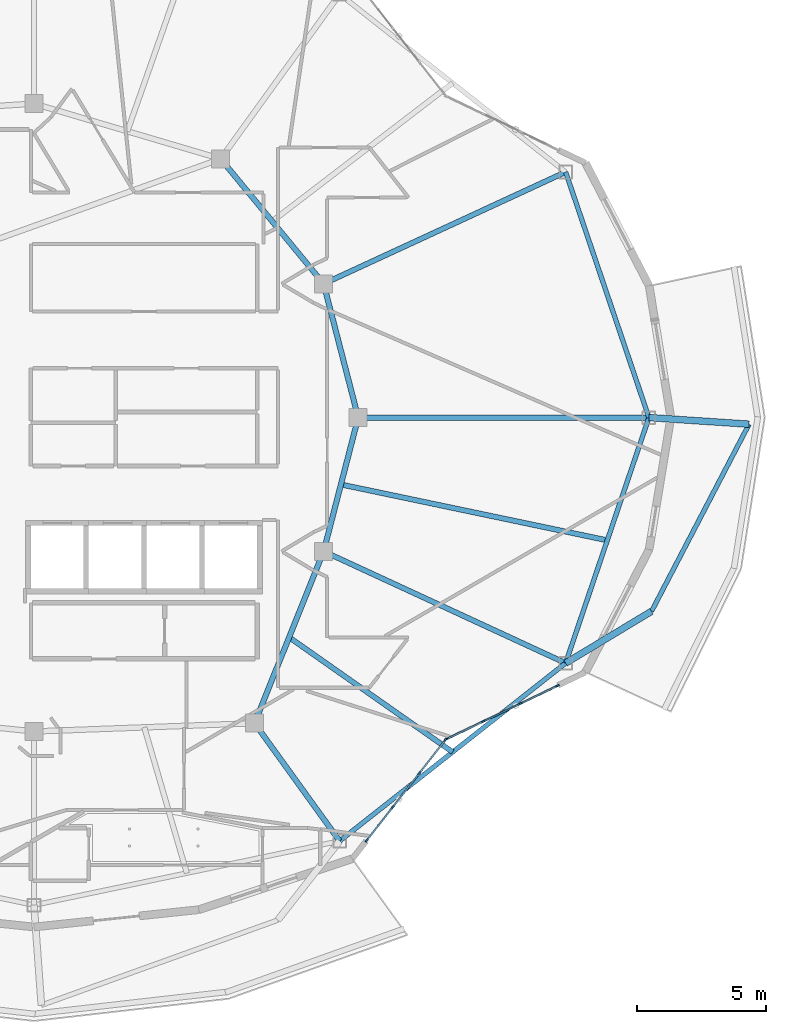
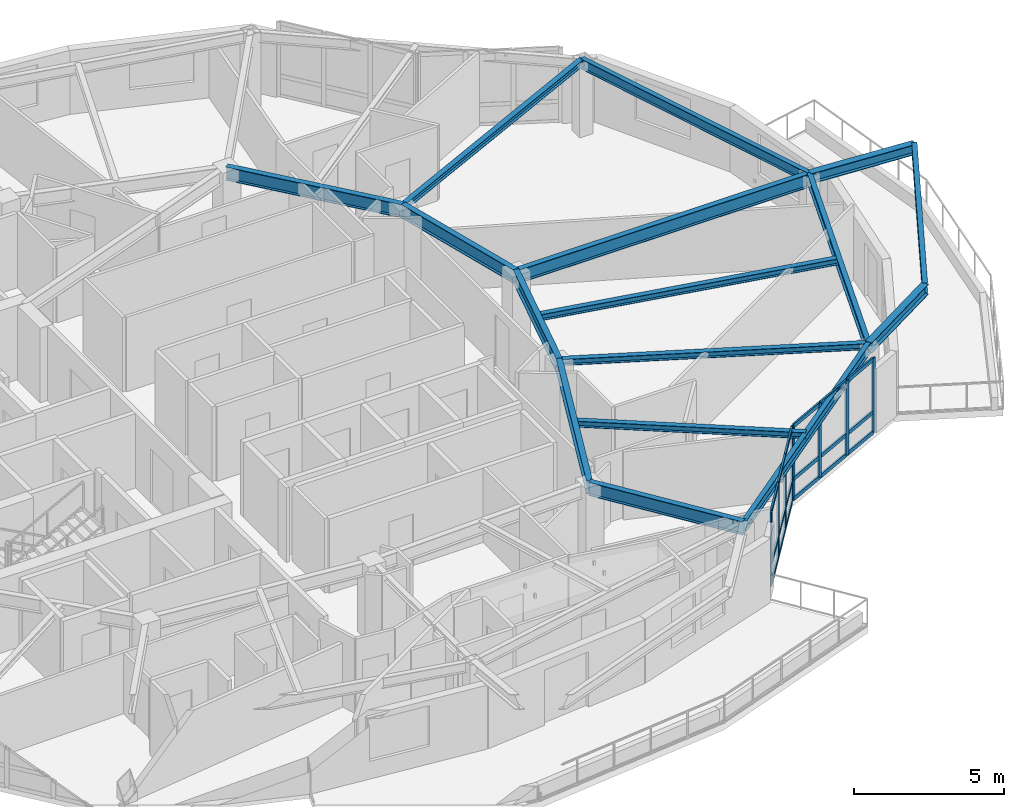
# One storey, part 4 of 21: 26 members, 16 beams, 2 elements without a shape of their own.
"""IFC4 building model written with IfcOpenShell, lengths in metres."""

from ifc_helpers import new_model, si_unit, direction, frame, origin, origin_2d, place, context, subcontext, project, spatial, rectangle, i_section, extrude, material, layer, layer_set, material_profile, profile_set, type_object, element, aggregate, save


model = new_model("IFC4")

# Units and contexts
model_context = context("Model", 3, precision=1e-05, world=origin(), true_north=direction((0.0, 1.0)))
body_context = subcontext(model_context, "Body", "Model", "MODEL_VIEW")
ifc_project = project(units=[si_unit("LENGTHUNIT", "METRE"), si_unit("AREAUNIT", "SQUARE_METRE"), si_unit("VOLUMEUNIT", "CUBIC_METRE"), si_unit("PLANEANGLEUNIT", "RADIAN"), si_unit("MASSUNIT", "GRAM", prefix="KILO")], contexts=[model_context])

# Site, building, storey
site_placement = place(None, origin())
site = spatial("IfcSite", under=ifc_project, at=site_placement, CompositionType="ELEMENT")
building_placement = place(site_placement, origin())
building = spatial("IfcBuilding", under=site, at=building_placement, Name="Kolvaren Gate Tower and Convention Centre", CompositionType="ELEMENT")
storey_placement = place(building_placement, frame((0.0, 0.0, 226.10009765625)))
storey = spatial("IfcBuildingStorey", under=building, at=storey_placement, Name="L60", CompositionType="ELEMENT", Elevation=226.10009765625)

# Curtain wall, members
ifc_material_1 = material(Name="Anodized Architectural Aluminium Alloy 6063-T6", Category="aluminium")
ifc_layer = layer(ifc_material_1, 0.159912109375)
ifc_layer_set = layer_set([ifc_layer], Name="Anodized Architectural Aluminium Alloy 6063-T6")
curtain_wall_type = type_object("IfcCurtainWallType", Name="CW-RES-UNIT", PredefinedType="NOTDEFINED", material=ifc_layer_set)
curtain_wall_1_placement = place(storey_placement, origin())
curtain_wall_1 = element("IfcCurtainWall", 1, at=curtain_wall_1_placement, inside=storey, type_object=curtain_wall_type, Name="Tower L60 Unitised Curtain Wall CW-RES-UNIT Bay 20", PredefinedType="NOTDEFINED")
ifc_material_profile_1 = material_profile(ifc_material_1, rectangle(XDim=0.06494140625, YDim=0.159912109375, at=origin_2d()), Name="CW-MEM-MUL-160")
ifc_profile_set_1 = profile_set([ifc_material_profile_1], Name="Anodized Architectural Aluminium Alloy 6063-T6")
member_type_1 = type_object("IfcMemberType", Name="CW-MEM-MUL-160", PredefinedType="MULLION", material=ifc_profile_set_1)
member_1_placement = place(storey_placement, frame((43.06005859375, 10.568115234375, 0.0), z_axis=(0.0, 0.0, 1.0), x_axis=(-0.787404459493, 0.616436709784, 0.0)))
member_1 = element("IfcMember", 2, at=member_1_placement, type_object=member_type_1, Name="CW-04 mullion 1", PredefinedType="MULLION", context=body_context, shape_type="SweptSolid", body=[
    extrude(rectangle(XDim=0.06494140625, YDim=0.159912109375, at=origin_2d()), origin(), (0.0, 0.0, 1.0), 3.02978515625),
])
member_2_placement = place(storey_placement, frame((44.07080078125, 11.859130859375, 0.0), z_axis=(0.0, 0.0, 1.0), x_axis=(-0.787404459493, 0.616436709784, 0.0)))
member_2 = element("IfcMember", 3, at=member_2_placement, type_object=member_type_1, Name="CW-04 mullion 2", PredefinedType="MULLION", context=body_context, shape_type="SweptSolid", body=[
    extrude(rectangle(XDim=0.06494140625, YDim=0.159912109375, at=origin_2d()), origin(), (0.0, 0.0, 1.0), 3.02978515625),
])
member_3_placement = place(storey_placement, frame((45.1015625, 13.176025390625, 0.0), z_axis=(0.0, 0.0, 1.0), x_axis=(-0.787404459493, 0.616436709784, 0.0)))
member_3 = element("IfcMember", 4, at=member_3_placement, type_object=member_type_1, Name="CW-04 mullion 3", PredefinedType="MULLION", context=body_context, shape_type="SweptSolid", body=[
    extrude(rectangle(XDim=0.06494140625, YDim=0.159912109375, at=origin_2d()), origin(), (0.0, 0.0, 1.0), 3.02978515625),
])
member_4_placement = place(storey_placement, frame((46.112548828125, 14.467041015625, 0.0), z_axis=(0.0, 0.0, 1.0), x_axis=(-0.787404459493, 0.616436709784, 0.0)))
member_4 = element("IfcMember", 5, at=member_4_placement, type_object=member_type_1, Name="CW-04 mullion 4", PredefinedType="MULLION", context=body_context, shape_type="SweptSolid", body=[
    extrude(rectangle(XDim=0.06494140625, YDim=0.159912109375, at=origin_2d()), origin(), (0.0, 0.0, 1.0), 3.02978515625),
])

curtain_wall_2_placement = place(storey_placement, origin())
curtain_wall_2 = element("IfcCurtainWall", 6, at=curtain_wall_2_placement, inside=storey, type_object=curtain_wall_type, Name="Tower L60 Unitised Curtain Wall CW-RES-UNIT Bay 21", PredefinedType="NOTDEFINED")
member_5_placement = place(storey_placement, frame((46.161865234375, 14.5068359375, 0.0), z_axis=(0.0, 0.0, 1.0), x_axis=(-0.433064264345, 0.90136304725, 0.0)))
member_5 = element("IfcMember", 7, at=member_5_placement, type_object=member_type_1, Name="CW-04 mullion 1", PredefinedType="MULLION", context=body_context, shape_type="SweptSolid", body=[
    extrude(rectangle(XDim=0.06494140625, YDim=0.159912109375, at=origin_2d()), origin(), (0.0, 0.0, 1.0), 3.02978515625),
])
member_6_placement = place(storey_placement, frame((47.58642578125, 15.191162109375, 0.0), z_axis=(0.0, 0.0, 1.0), x_axis=(-0.433064264345, 0.90136304725, 0.0)))
member_6 = element("IfcMember", 8, at=member_6_placement, type_object=member_type_1, Name="CW-04 mullion 2", PredefinedType="MULLION", context=body_context, shape_type="SweptSolid", body=[
    extrude(rectangle(XDim=0.06494140625, YDim=0.159912109375, at=origin_2d()), origin(), (0.0, 0.0, 1.0), 3.02978515625),
])
member_7_placement = place(storey_placement, frame((49.040283203125, 15.8896484375, 0.0), z_axis=(0.0, 0.0, 1.0), x_axis=(-0.433064264345, 0.90136304725, 0.0)))
member_7 = element("IfcMember", 9, at=member_7_placement, type_object=member_type_1, Name="CW-04 mullion 3", PredefinedType="MULLION", context=body_context, shape_type="SweptSolid", body=[
    extrude(rectangle(XDim=0.06494140625, YDim=0.159912109375, at=origin_2d()), origin(), (0.0, 0.0, 1.0), 3.02978515625),
])
member_8_placement = place(storey_placement, frame((50.46484375, 16.57421875, 0.0), z_axis=(0.0, 0.0, 1.0), x_axis=(-0.433064264345, 0.90136304725, 0.0)))
member_8 = element("IfcMember", 10, at=member_8_placement, type_object=member_type_1, Name="CW-04 mullion 4", PredefinedType="MULLION", context=body_context, shape_type="SweptSolid", body=[
    extrude(rectangle(XDim=0.06494140625, YDim=0.159912109375, at=origin_2d()), origin(), (0.0, 0.0, 1.0), 3.02978515625),
])

# Member
ifc_material_profile_2 = material_profile(ifc_material_1, rectangle(XDim=0.06494140625, YDim=0.159912109375, at=origin_2d()), Name="CW-MEM-TRN-160")
ifc_profile_set_2 = profile_set([ifc_material_profile_2], Name="Anodized Architectural Aluminium Alloy 6063-T6")
member_type_2 = type_object("IfcMemberType", Name="CW-MEM-TRN-160", PredefinedType="USERDEFINED", material=ifc_profile_set_2)
member_9_placement = place(storey_placement, frame((43.080078125, 10.59375, 0.032470703125), z_axis=(0.616416943475, 0.787419933579, 0.0), x_axis=(-0.787419933579, 0.616416943475, 0.0)))
member_9 = element("IfcMember", 11, at=member_9_placement, type_object=member_type_2, Name="CW-04 transom 1.1", ObjectType="TRANSOM", PredefinedType="USERDEFINED", context=body_context, shape_type="SweptSolid", body=[
    extrude(rectangle(XDim=0.06494140625, YDim=0.159912109375, at=origin_2d()), origin(), (0.0, 0.0, 1.0), 1.57470703125),
])

member_10_placement = place(storey_placement, frame((43.080078125, 10.59375, 0.849853515625), z_axis=(0.616416943475, 0.787419933579, 0.0), x_axis=(-0.787419933579, 0.616416943475, 0.0)))
member_10 = element("IfcMember", 12, at=member_10_placement, type_object=member_type_2, Name="CW-04 transom 1.2", ObjectType="TRANSOM", PredefinedType="USERDEFINED", context=body_context, shape_type="SweptSolid", body=[
    extrude(rectangle(XDim=0.06494140625, YDim=0.159912109375, at=origin_2d()), origin(), (0.0, 0.0, 1.0), 1.57470703125),
])

member_11_placement = place(storey_placement, frame((43.080078125, 10.59375, 2.997314453125), z_axis=(0.616416943475, 0.787419933579, 0.0), x_axis=(-0.787419933579, 0.616416943475, 0.0)))
member_11 = element("IfcMember", 13, at=member_11_placement, type_object=member_type_2, Name="CW-04 transom 1.3", ObjectType="TRANSOM", PredefinedType="USERDEFINED", context=body_context, shape_type="SweptSolid", body=[
    extrude(rectangle(XDim=0.06494140625, YDim=0.159912109375, at=origin_2d()), origin(), (0.0, 0.0, 1.0), 1.57470703125),
])

member_12_placement = place(storey_placement, frame((44.0908203125, 11.884765625, 0.032470703125), z_axis=(0.616398363045, 0.787434478567, 0.0), x_axis=(-0.787434478567, 0.616398363045, 0.0)))
member_12 = element("IfcMember", 14, at=member_12_placement, type_object=member_type_2, Name="CW-04 transom 2.1", ObjectType="TRANSOM", PredefinedType="USERDEFINED", context=body_context, shape_type="SweptSolid", body=[
    extrude(rectangle(XDim=0.06494140625, YDim=0.159912109375, at=origin_2d()), origin(), (0.0, 0.0, 1.0), 1.607177734375),
])

member_13_placement = place(storey_placement, frame((44.0908203125, 11.884765625, 0.849853515625), z_axis=(0.616398363045, 0.787434478567, 0.0), x_axis=(-0.787434478567, 0.616398363045, 0.0)))
member_13 = element("IfcMember", 15, at=member_13_placement, type_object=member_type_2, Name="CW-04 transom 2.2", ObjectType="TRANSOM", PredefinedType="USERDEFINED", context=body_context, shape_type="SweptSolid", body=[
    extrude(rectangle(XDim=0.06494140625, YDim=0.159912109375, at=origin_2d()), origin(), (0.0, 0.0, 1.0), 1.607177734375),
])

member_14_placement = place(storey_placement, frame((44.0908203125, 11.884765625, 2.997314453125), z_axis=(0.616398363045, 0.787434478567, 0.0), x_axis=(-0.787434478567, 0.616398363045, 0.0)))
member_14 = element("IfcMember", 16, at=member_14_placement, type_object=member_type_2, Name="CW-04 transom 2.3", ObjectType="TRANSOM", PredefinedType="USERDEFINED", context=body_context, shape_type="SweptSolid", body=[
    extrude(rectangle(XDim=0.06494140625, YDim=0.159912109375, at=origin_2d()), origin(), (0.0, 0.0, 1.0), 1.607177734375),
])

member_15_placement = place(storey_placement, frame((45.12158203125, 13.20166015625, 0.032470703125), z_axis=(0.616588309904, 0.7872857525, 0.0), x_axis=(-0.7872857525, 0.616588309904, 0.0)))
member_15 = element("IfcMember", 17, at=member_15_placement, type_object=member_type_2, Name="CW-04 transom 3.1", ObjectType="TRANSOM", PredefinedType="USERDEFINED", context=body_context, shape_type="SweptSolid", body=[
    extrude(rectangle(XDim=0.06494140625, YDim=0.159912109375, at=origin_2d()), origin(), (0.0, 0.0, 1.0), 1.57470703125),
])

member_16_placement = place(storey_placement, frame((45.12158203125, 13.20166015625, 0.849853515625), z_axis=(0.616588309904, 0.7872857525, 0.0), x_axis=(-0.7872857525, 0.616588309904, 0.0)))
member_16 = element("IfcMember", 18, at=member_16_placement, type_object=member_type_2, Name="CW-04 transom 3.2", ObjectType="TRANSOM", PredefinedType="USERDEFINED", context=body_context, shape_type="SweptSolid", body=[
    extrude(rectangle(XDim=0.06494140625, YDim=0.159912109375, at=origin_2d()), origin(), (0.0, 0.0, 1.0), 1.57470703125),
])

member_17_placement = place(storey_placement, frame((45.12158203125, 13.20166015625, 2.997314453125), z_axis=(0.616588309904, 0.7872857525, 0.0), x_axis=(-0.7872857525, 0.616588309904, 0.0)))
member_17 = element("IfcMember", 19, at=member_17_placement, type_object=member_type_2, Name="CW-04 transom 3.3", ObjectType="TRANSOM", PredefinedType="USERDEFINED", context=body_context, shape_type="SweptSolid", body=[
    extrude(rectangle(XDim=0.06494140625, YDim=0.159912109375, at=origin_2d()), origin(), (0.0, 0.0, 1.0), 1.57470703125),
])

aggregate(curtain_wall_1, [member_1, member_2, member_3, member_4, member_9, member_10, member_11, member_12, member_13, member_14, member_15, member_16, member_17])

member_18_placement = place(storey_placement, frame((46.191162109375, 14.520751953125, 0.032470703125), z_axis=(0.901309275583, 0.433176164797, 0.0), x_axis=(-0.433176164797, 0.901309275583, 0.0)))
member_18 = element("IfcMember", 20, at=member_18_placement, type_object=member_type_2, Name="CW-04 transom 1.1", ObjectType="TRANSOM", PredefinedType="USERDEFINED", context=body_context, shape_type="SweptSolid", body=[
    extrude(rectangle(XDim=0.06494140625, YDim=0.159912109375, at=origin_2d()), origin(), (0.0, 0.0, 1.0), 1.515625),
])

member_19_placement = place(storey_placement, frame((46.191162109375, 14.520751953125, 0.849853515625), z_axis=(0.901309275583, 0.433176164797, 0.0), x_axis=(-0.433176164797, 0.901309275583, 0.0)))
member_19 = element("IfcMember", 21, at=member_19_placement, type_object=member_type_2, Name="CW-04 transom 1.2", ObjectType="TRANSOM", PredefinedType="USERDEFINED", context=body_context, shape_type="SweptSolid", body=[
    extrude(rectangle(XDim=0.06494140625, YDim=0.159912109375, at=origin_2d()), origin(), (0.0, 0.0, 1.0), 1.515625),
])

member_20_placement = place(storey_placement, frame((46.191162109375, 14.520751953125, 2.997314453125), z_axis=(0.901309275583, 0.433176164797, 0.0), x_axis=(-0.433176164797, 0.901309275583, 0.0)))
member_20 = element("IfcMember", 22, at=member_20_placement, type_object=member_type_2, Name="CW-04 transom 1.3", ObjectType="TRANSOM", PredefinedType="USERDEFINED", context=body_context, shape_type="SweptSolid", body=[
    extrude(rectangle(XDim=0.06494140625, YDim=0.159912109375, at=origin_2d()), origin(), (0.0, 0.0, 1.0), 1.515625),
])

member_21_placement = place(storey_placement, frame((47.61572265625, 15.205322265625, 0.032470703125), z_axis=(0.901350707748, 0.433089946365, 0.0), x_axis=(-0.433089946365, 0.901350707748, 0.0)))
member_21 = element("IfcMember", 23, at=member_21_placement, type_object=member_type_2, Name="CW-04 transom 2.1", ObjectType="TRANSOM", PredefinedType="USERDEFINED", context=body_context, shape_type="SweptSolid", body=[
    extrude(rectangle(XDim=0.06494140625, YDim=0.159912109375, at=origin_2d()), origin(), (0.0, 0.0, 1.0), 1.5478515625),
])

member_22_placement = place(storey_placement, frame((47.61572265625, 15.205322265625, 0.849853515625), z_axis=(0.901350707748, 0.433089946365, 0.0), x_axis=(-0.433089946365, 0.901350707748, 0.0)))
member_22 = element("IfcMember", 24, at=member_22_placement, type_object=member_type_2, Name="CW-04 transom 2.2", ObjectType="TRANSOM", PredefinedType="USERDEFINED", context=body_context, shape_type="SweptSolid", body=[
    extrude(rectangle(XDim=0.06494140625, YDim=0.159912109375, at=origin_2d()), origin(), (0.0, 0.0, 1.0), 1.5478515625),
])

member_23_placement = place(storey_placement, frame((47.61572265625, 15.205322265625, 2.997314453125), z_axis=(0.901350707748, 0.433089946365, 0.0), x_axis=(-0.433089946365, 0.901350707748, 0.0)))
member_23 = element("IfcMember", 25, at=member_23_placement, type_object=member_type_2, Name="CW-04 transom 2.3", ObjectType="TRANSOM", PredefinedType="USERDEFINED", context=body_context, shape_type="SweptSolid", body=[
    extrude(rectangle(XDim=0.06494140625, YDim=0.159912109375, at=origin_2d()), origin(), (0.0, 0.0, 1.0), 1.5478515625),
])

member_24_placement = place(storey_placement, frame((49.069580078125, 15.90380859375, 0.032470703125), z_axis=(0.901372164893, 0.433045286726, 0.0), x_axis=(-0.433045286726, 0.901372164893, 0.0)))
member_24 = element("IfcMember", 26, at=member_24_placement, type_object=member_type_2, Name="CW-04 transom 3.1", ObjectType="TRANSOM", PredefinedType="USERDEFINED", context=body_context, shape_type="SweptSolid", body=[
    extrude(rectangle(XDim=0.06494140625, YDim=0.159912109375, at=origin_2d()), origin(), (0.0, 0.0, 1.0), 1.515380859375),
])

member_25_placement = place(storey_placement, frame((49.069580078125, 15.90380859375, 0.849853515625), z_axis=(0.901372164893, 0.433045286726, 0.0), x_axis=(-0.433045286726, 0.901372164893, 0.0)))
member_25 = element("IfcMember", 27, at=member_25_placement, type_object=member_type_2, Name="CW-04 transom 3.2", ObjectType="TRANSOM", PredefinedType="USERDEFINED", context=body_context, shape_type="SweptSolid", body=[
    extrude(rectangle(XDim=0.06494140625, YDim=0.159912109375, at=origin_2d()), origin(), (0.0, 0.0, 1.0), 1.515380859375),
])

member_26_placement = place(storey_placement, frame((49.069580078125, 15.90380859375, 2.997314453125), z_axis=(0.901372164893, 0.433045286726, 0.0), x_axis=(-0.433045286726, 0.901372164893, 0.0)))
member_26 = element("IfcMember", 28, at=member_26_placement, type_object=member_type_2, Name="CW-04 transom 3.3", ObjectType="TRANSOM", PredefinedType="USERDEFINED", context=body_context, shape_type="SweptSolid", body=[
    extrude(rectangle(XDim=0.06494140625, YDim=0.159912109375, at=origin_2d()), origin(), (0.0, 0.0, 1.0), 1.515380859375),
])

aggregate(curtain_wall_2, [member_5, member_6, member_7, member_8, member_18, member_19, member_20, member_21, member_22, member_23, member_24, member_25, member_26])

# Beams
ifc_material_2 = material(Name="Structural steel ASTM A992 Grade 345 MPa", Category="steel")
ifc_material_profile_3 = material_profile(ifc_material_2, i_section(OverallWidth=0.260009765625, OverallDepth=0.419921875, WebThickness=0.013427734375, FlangeThickness=0.0224609375, at=origin_2d()), Name="W410X132")
ifc_profile_set_3 = profile_set([ifc_material_profile_3], Name="Structural steel ASTM A992 Grade 345 MPa")
beam_type_1 = type_object("IfcBeamType", Name="STR-BM-W410X132", PredefinedType="BEAM", material=ifc_profile_set_3)
for number, where, z_axis, x_axis, name in (
    (29, (50.787353515625, 17.456298828125, 2.8203125), (0.856097890351, 0.516813701575, 0.0), (-0.516813701575, 0.856097890351, 0.0), "Tower L61 Planted Balcony Outrigger Cantilever BC-4A"),
    (30, (54.02490234375, 27.0, 2.8203125), (0.997825138942, -0.065916554034, 0.0), (0.065916554034, 0.997825138942, 0.0), "Tower L61 Planted Balcony Outrigger Cantilever BC-4B"),
):
    element("IfcBeam", number, at=place(storey_placement, frame(where, z_axis=z_axis, x_axis=x_axis)), inside=storey, type_object=beam_type_1, Name=name, PredefinedType="BEAM", context=body_context, shape_type="SweptSolid", body=[
        extrude(i_section(OverallWidth=0.260009765625, OverallDepth=0.419921875, WebThickness=0.013427734375, FlangeThickness=0.0224609375, at=origin_2d()), origin(), (0.0, 0.0, 1.0), 3.900146484375),
    ])
ifc_material_profile_4 = material_profile(ifc_material_2, i_section(OverallWidth=0.2119140625, OverallDepth=0.5439453125, WebThickness=0.01318359375, FlangeThickness=0.021240234375, at=origin_2d()), Name="W530X123")
ifc_profile_set_4 = profile_set([ifc_material_profile_4], Name="Structural steel ASTM A992 Grade 345 MPa")
beam_type_2 = type_object("IfcBeamType", Name="STR-BM-W530X123", PredefinedType="BEAM", material=ifc_profile_set_4)
beam_1_placement = place(storey_placement, frame((42.72509765625, 27.0, 2.7578125), z_axis=(-0.250091133936, -0.968222301296, 0.0), x_axis=(0.968222301296, -0.250091133936, 0.0)))
element("IfcBeam", 31, at=beam_1_placement, inside=storey, type_object=beam_type_2, Name="Tower L60 Primary Ring Girder G-01", PredefinedType="BEAM", context=body_context, shape_type="SweptSolid", body=[
    extrude(i_section(OverallWidth=0.2119140625, OverallDepth=0.5439453125, WebThickness=0.01318359375, FlangeThickness=0.021240234375, at=origin_2d()), origin(), (0.0, 0.0, 1.0), 5.3701171875),
])
beam_2_placement = place(storey_placement, frame((41.382080078125, 32.199462890625, 2.7578125), z_axis=(-0.635884066011, 0.771784590798, 0.0), x_axis=(-0.771784590798, -0.635884066011, 0.0)))
element("IfcBeam", 32, at=beam_2_placement, inside=storey, type_object=beam_type_2, Name="Tower L60 Primary Ring Girder G-02", PredefinedType="BEAM", context=body_context, shape_type="SweptSolid", body=[
    extrude(i_section(OverallWidth=0.2119140625, OverallDepth=0.5439453125, WebThickness=0.01318359375, FlangeThickness=0.021240234375, at=origin_2d()), origin(), (0.0, 0.0, 1.0), 6.291259765625),
])
beam_3_placement = place(storey_placement, frame((38.6982421875, 15.12060546875, 2.7578125), z_axis=(0.372811100169, 0.927907260232, 0.0), x_axis=(-0.927907260232, 0.372811100169, 0.0)))
element("IfcBeam", 33, at=beam_3_placement, inside=storey, type_object=beam_type_2, Name="Tower L60 Primary Ring Girder G-09", PredefinedType="BEAM", context=body_context, shape_type="SweptSolid", body=[
    extrude(i_section(OverallWidth=0.2119140625, OverallDepth=0.5439453125, WebThickness=0.01318359375, FlangeThickness=0.021240234375, at=origin_2d()), origin(), (0.0, 0.0, 1.0), 7.198974609375),
])
beam_4_placement = place(storey_placement, frame((42.72509765625, 27.0, 2.7578125), z_axis=(-0.250091133936, 0.968222301296, 0.0), x_axis=(-0.968222301296, -0.250091133936, 0.0)))
element("IfcBeam", 34, at=beam_4_placement, inside=storey, type_object=beam_type_2, Name="Tower L60 Primary Ring Girder G-12", PredefinedType="BEAM", context=body_context, shape_type="SweptSolid", body=[
    extrude(i_section(OverallWidth=0.2119140625, OverallDepth=0.5439453125, WebThickness=0.01318359375, FlangeThickness=0.021240234375, at=origin_2d()), origin(), (0.0, 0.0, 1.0), 5.3701171875),
])
beam_5_placement = place(storey_placement, frame((42.72509765625, 27.0, 2.7578125), z_axis=(1.0, 0.0, 0.0), x_axis=(0.0, 1.0, 0.0)))
element("IfcBeam", 35, at=beam_5_placement, inside=storey, type_object=beam_type_2, Name="Tower L60 Radial Floor Girder RB-01", PredefinedType="BEAM", context=body_context, shape_type="SweptSolid", body=[
    extrude(i_section(OverallWidth=0.2119140625, OverallDepth=0.5439453125, WebThickness=0.01318359375, FlangeThickness=0.021240234375, at=origin_2d()), origin(), (0.0, 0.0, 1.0), 11.2998046875),
])
beam_6_placement = place(storey_placement, frame((38.6982421875, 15.12060546875, 2.7578125), z_axis=(0.585218993275, -0.810875286286, 0.0), x_axis=(0.810875286286, 0.585218993275, 0.0)))
element("IfcBeam", 36, at=beam_6_placement, inside=storey, type_object=beam_type_2, Name="Tower L60 Radial Floor Girder RB-11", PredefinedType="BEAM", context=body_context, shape_type="SweptSolid", body=[
    extrude(i_section(OverallWidth=0.2119140625, OverallDepth=0.5439453125, WebThickness=0.01318359375, FlangeThickness=0.021240234375, at=origin_2d()), origin(), (0.0, 0.0, 1.0), 5.646484375),
])
ifc_material_profile_5 = material_profile(ifc_material_2, i_section(OverallWidth=0.202880859375, OverallDepth=0.251953125, WebThickness=0.008056640625, FlangeThickness=0.013427734375, at=origin_2d()), Name="W250X58")
ifc_profile_set_5 = profile_set([ifc_material_profile_5], Name="Structural steel ASTM A992 Grade 345 MPa")
beam_type_3 = type_object("IfcBeamType", Name="STR-JS-W250X58", PredefinedType="JOIST", material=ifc_profile_set_5)
for number, where, z_axis, x_axis, name in (
    (37, (41.382080078125, 32.199462890625, 2.90380859375), (0.907836575129, 0.419324162025, 0.0), (-0.419324162025, 0.907836575129, 0.0), "Tower L60 Radial Floor Girder RB-02"),
    (38, (41.382080078125, 21.800537109375, 2.90380859375), (0.907836575129, -0.419324162025, 0.0), (0.419324162025, 0.907836575129, 0.0), "Tower L60 Radial Floor Girder RB-12"),
):
    element("IfcBeam", number, at=place(storey_placement, frame(where, z_axis=z_axis, x_axis=x_axis)), inside=storey, type_object=beam_type_3, Name=name, PredefinedType="JOIST", context=body_context, shape_type="SweptSolid", body=[
        extrude(i_section(OverallWidth=0.202880859375, OverallDepth=0.251953125, WebThickness=0.008056640625, FlangeThickness=0.013427734375, at=origin_2d()), origin(), (0.0, 0.0, 1.0), 10.360107421875),
    ])
beam_7_placement = place(storey_placement, frame((40.040283203125, 18.46044921875, 2.90380859375), z_axis=(0.81845266589, -0.574573958423, 0.0), x_axis=(0.574573958423, 0.81845266589, 0.0)))
element("IfcBeam", 39, at=beam_7_placement, inside=storey, type_object=beam_type_3, Name="Tower L60 Secondary Composite Floor Joist J-11.1", PredefinedType="JOIST", context=body_context, shape_type="SweptSolid", body=[
    extrude(i_section(OverallWidth=0.202880859375, OverallDepth=0.251953125, WebThickness=0.008056640625, FlangeThickness=0.013427734375, at=origin_2d()), origin(), (0.0, 0.0, 1.0), 7.764404296875),
])
beam_8_placement = place(storey_placement, frame((42.0537109375, 24.400146484375, 2.90380859375), z_axis=(0.978694513543, -0.205321818519, 0.0), x_axis=(0.205321818519, 0.978694513543, 0.0)))
element("IfcBeam", 40, at=beam_8_placement, inside=storey, type_object=beam_type_3, Name="Tower L60 Secondary Composite Floor Joist J-12.1", PredefinedType="JOIST", context=body_context, shape_type="SweptSolid", body=[
    extrude(i_section(OverallWidth=0.202880859375, OverallDepth=0.251953125, WebThickness=0.008056640625, FlangeThickness=0.013427734375, at=origin_2d()), origin(), (0.0, 0.0, 1.0), 10.577880859375),
])
ifc_material_profile_6 = material_profile(ifc_material_2, i_section(OverallWidth=0.180908203125, OverallDepth=0.4169921875, WebThickness=0.010986328125, FlangeThickness=0.018310546875, at=origin_2d()), Name="W410X85")
ifc_profile_set_6 = profile_set([ifc_material_profile_6], Name="Structural steel ASTM A992 Grade 345 MPa")
beam_type_4 = type_object("IfcBeamType", Name="STR-SP-W410X85", PredefinedType="SPANDREL", material=ifc_profile_set_6)
beam_9_placement = place(storey_placement, frame((54.02490234375, 27.0, 2.8212890625), z_axis=(-0.321252507379, 0.946993572577, 0.0), x_axis=(-0.946993572577, -0.321252507379, 0.0)))
element("IfcBeam", 41, at=beam_9_placement, inside=storey, type_object=beam_type_4, Name="Tower L60 Perimeter Spandrel Beam SP-01", PredefinedType="SPANDREL", context=body_context, shape_type="SweptSolid", body=[
    extrude(i_section(OverallWidth=0.180908203125, OverallDepth=0.4169921875, WebThickness=0.010986328125, FlangeThickness=0.018310546875, at=origin_2d()), origin(), (0.0, 0.0, 1.0), 10.077880859375),
])
beam_10_placement = place(storey_placement, frame((42.002685546875, 10.5419921875, 2.8212890625), z_axis=(0.78579365551, 0.618488747643, 0.0), x_axis=(-0.618488747643, 0.78579365551, 0.0)))
element("IfcBeam", 42, at=beam_10_placement, inside=storey, type_object=beam_type_4, Name="Tower L60 Perimeter Spandrel Beam SP-11", PredefinedType="SPANDREL", context=body_context, shape_type="SweptSolid", body=[
    extrude(i_section(OverallWidth=0.180908203125, OverallDepth=0.4169921875, WebThickness=0.010986328125, FlangeThickness=0.018310546875, at=origin_2d()), origin(), (0.0, 0.0, 1.0), 11.179443359375),
])
beam_11_placement = place(storey_placement, frame((50.787353515625, 17.456298828125, 2.8212890625), z_axis=(0.321252507379, 0.946993572577, 0.0), x_axis=(-0.946993572577, 0.321252507379, 0.0)))
element("IfcBeam", 43, at=beam_11_placement, inside=storey, type_object=beam_type_4, Name="Tower L60 Perimeter Spandrel Beam SP-12", PredefinedType="SPANDREL", context=body_context, shape_type="SweptSolid", body=[
    extrude(i_section(OverallWidth=0.180908203125, OverallDepth=0.4169921875, WebThickness=0.010986328125, FlangeThickness=0.018310546875, at=origin_2d()), origin(), (0.0, 0.0, 1.0), 10.077880859375),
])
beam_12_placement = place(storey_placement, frame((54.126220703125, 19.471923828125, 2.822021484375), z_axis=(0.462251551917, 0.886748838595, 0.0), x_axis=(-0.886748838595, 0.462251551917, 0.0)))
element("IfcBeam", 44, at=beam_12_placement, inside=storey, type_object=beam_type_4, Name="Tower L61 Planted Balcony Header Tie Beam BT-4", PredefinedType="SPANDREL", context=body_context, shape_type="SweptSolid", body=[
    extrude(i_section(OverallWidth=0.180908203125, OverallDepth=0.4169921875, WebThickness=0.010986328125, FlangeThickness=0.018310546875, at=origin_2d()), origin(), (0.0, 0.0, 1.0), 8.19970703125),
])

save(model, "model.ifc")
